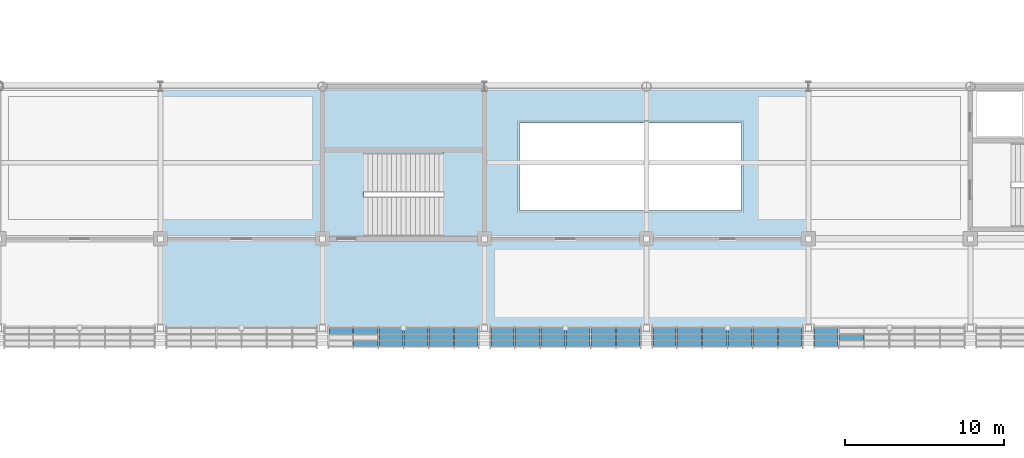
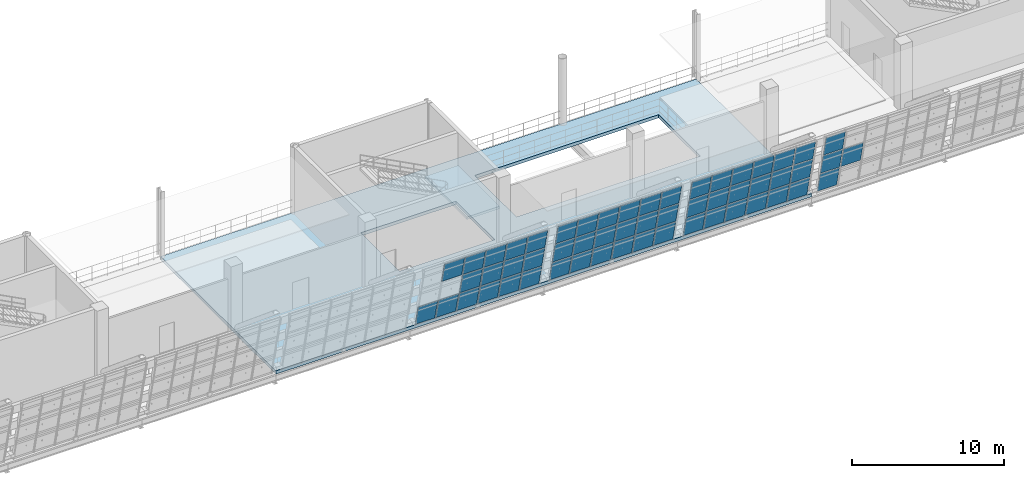
# One storey, part 106 of 175: 55 plates, 2 slabs, 5 elements without a shape of their own.
"""IFC4 building model written with IfcOpenShell, lengths in metres."""

from ifc_helpers import new_model, si_unit, direction, frame, origin, place, context, subcontext, project, spatial, polyline, outline, extrude, material, layer, layer_set, type_object, element, aggregate, save


model = new_model("IFC4")

# Units and contexts
model_context = context("Model", 3, precision=1e-05, world=origin(), true_north=direction((0.0, 1.0)))
body_context = subcontext(model_context, "Body", "Model", "MODEL_VIEW")
ifc_project = project(units=[si_unit("LENGTHUNIT", "METRE"), si_unit("AREAUNIT", "SQUARE_METRE"), si_unit("VOLUMEUNIT", "CUBIC_METRE"), si_unit("PLANEANGLEUNIT", "RADIAN"), si_unit("MASSUNIT", "GRAM", prefix="KILO")], contexts=[model_context])

# Site, building, storey
site_placement = place(None, origin())
site = spatial("IfcSite", under=ifc_project, at=site_placement, CompositionType="ELEMENT")
building_placement = place(site_placement, origin())
building = spatial("IfcBuilding", under=site, at=building_placement, Name="Brelvane Convention Centre", CompositionType="ELEMENT")
storey_placement = place(building_placement, frame((0.0, 0.0, 5.39990234375)))
storey = spatial("IfcBuildingStorey", under=building, at=storey_placement, Name="L01", CompositionType="ELEMENT", Elevation=5.39990234375)

# Curtain wall, plates
ifc_material_1 = material(Name="Anodised Aluminium Alloy 6063-T6", Category="aluminium")
curtain_wall_type = type_object("IfcCurtainWallType", Name="Curtain Wall CW-HULL-S", PredefinedType="USERDEFINED", material=ifc_material_1)
curtain_wall_1_placement = place(storey_placement, origin())
curtain_wall_1 = element("IfcCurtainWall", 1, at=curtain_wall_1_placement, inside=storey, type_object=curtain_wall_type, Name="Curtain Wall CW-HULL-S L01-HULL-S-L01-09", ObjectType="UNITISED", PredefinedType="USERDEFINED")
ifc_material_2 = material(Name="Double Glazed Low-E Laminated Unit")
ifc_layer_1 = layer(ifc_material_2, 0.031982421875)
ifc_layer_set_1 = layer_set([ifc_layer_1], Name="Double Glazed Low-E Laminated Unit")
plate_type_1 = type_object("IfcPlateType", Name="Curtain Panel CW-PG1", PredefinedType="CURTAIN_PANEL", material=ifc_layer_set_1)
plate_1_placement = place(storey_placement, frame((83.55322265625, 12.785400390625, 3.473388671875), z_axis=(0.0, 0.973577021422, 0.228358891569), x_axis=(1.0, 0.0, 0.0)))
plate_1 = element("IfcPlate", 2, at=plate_1_placement, type_object=plate_type_1, Name="CW-HULL-S panel 2.3", PredefinedType="CURTAIN_PANEL", context=body_context, shape_type="SweptSolid", body=[
    extrude(outline(polyline([(0.0, 0.0), (1.513427734375, 0.0), (1.513427734375, -1.6400137352949753), (0.0, -1.6400137352949753), (0.0, 0.0)])), origin(), (0.0, 0.0, -1.0), 0.031982421875),
])
plate_2_placement = place(storey_placement, frame((85.146728515625, 13.18798828125, 1.7568359375), z_axis=(0.0, 0.973584535906, 0.228326852222), x_axis=(1.0, 0.0, 0.0)))
plate_2 = element("IfcPlate", 3, at=plate_2_placement, type_object=plate_type_1, Name="CW-HULL-S panel 3.2", PredefinedType="CURTAIN_PANEL", context=body_context, shape_type="SweptSolid", body=[
    extrude(outline(polyline([(0.0, 0.0), (1.51318359375, 0.0), (1.51318359375, -1.680875721647406), (0.0, -1.680875721647406), (0.0, 0.0)])), origin(), (0.0, 0.0, -1.0), 0.031982421875),
])
plate_3_placement = place(storey_placement, frame((85.146728515625, 12.785400390625, 3.473388671875), z_axis=(0.0, 0.973577021422, 0.228358891569), x_axis=(1.0, 0.0, 0.0)))
plate_3 = element("IfcPlate", 4, at=plate_3_placement, type_object=plate_type_1, Name="CW-HULL-S panel 3.3", PredefinedType="CURTAIN_PANEL", context=body_context, shape_type="SweptSolid", body=[
    extrude(outline(polyline([(0.0, 0.0), (1.51318359375, 0.0), (1.51318359375, -1.640013735294975), (0.0, -1.640013735294975), (0.0, 0.0)])), origin(), (0.0, 0.0, -1.0), 0.031982421875),
])
plate_4_placement = place(storey_placement, frame((86.739990234375, 13.18798828125, 1.7568359375), z_axis=(0.0, 0.973584535906, 0.228326852222), x_axis=(1.0, 0.0, 0.0)))
plate_4 = element("IfcPlate", 5, at=plate_4_placement, type_object=plate_type_1, Name="CW-HULL-S panel 4.2", PredefinedType="CURTAIN_PANEL", context=body_context, shape_type="SweptSolid", body=[
    extrude(outline(polyline([(0.0, 0.0), (1.513427734375, 0.0), (1.513427734375, -1.680875721647406), (0.0, -1.680875721647406), (0.0, 0.0)])), origin(), (0.0, 0.0, -1.0), 0.031982421875),
])
plate_5_placement = place(storey_placement, frame((86.739990234375, 12.785400390625, 3.473388671875), z_axis=(0.0, 0.973577021422, 0.228358891569), x_axis=(1.0, 0.0, 0.0)))
plate_5 = element("IfcPlate", 6, at=plate_5_placement, type_object=plate_type_1, Name="CW-HULL-S panel 4.3", PredefinedType="CURTAIN_PANEL", context=body_context, shape_type="SweptSolid", body=[
    extrude(outline(polyline([(0.0, 0.0), (1.513427734375, 0.0), (1.513427734375, -1.6400137352949753), (0.0, -1.6400137352949753), (0.0, 0.0)])), origin(), (0.0, 0.0, -1.0), 0.031982421875),
])
plate_6_placement = place(storey_placement, frame((88.333251953125, 13.18798828125, 1.7568359375), z_axis=(0.0, 0.973584535906, 0.228326852222), x_axis=(1.0, 0.0, 0.0)))
plate_6 = element("IfcPlate", 7, at=plate_6_placement, type_object=plate_type_1, Name="CW-HULL-S panel 5.2", PredefinedType="CURTAIN_PANEL", context=body_context, shape_type="SweptSolid", body=[
    extrude(outline(polyline([(0.0, 0.0), (1.513427734375, 0.0), (1.513427734375, -1.680875721647406), (0.0, -1.680875721647406), (0.0, 0.0)])), origin(), (0.0, 0.0, -1.0), 0.031982421875),
])
plate_7_placement = place(storey_placement, frame((88.333251953125, 12.785400390625, 3.473388671875), z_axis=(0.0, 0.973577021422, 0.228358891569), x_axis=(1.0, 0.0, 0.0)))
plate_7 = element("IfcPlate", 8, at=plate_7_placement, type_object=plate_type_1, Name="CW-HULL-S panel 5.3", PredefinedType="CURTAIN_PANEL", context=body_context, shape_type="SweptSolid", body=[
    extrude(outline(polyline([(0.0, 0.0), (1.513427734375, 0.0), (1.513427734375, -1.6400137352949753), (0.0, -1.6400137352949753), (0.0, 0.0)])), origin(), (0.0, 0.0, -1.0), 0.031982421875),
])
plate_8_placement = place(storey_placement, frame((89.9267578125, 13.18798828125, 1.7568359375), z_axis=(0.0, 0.973584535906, 0.228326852222), x_axis=(1.0, 0.0, 0.0)))
plate_8 = element("IfcPlate", 9, at=plate_8_placement, type_object=plate_type_1, Name="CW-HULL-S panel 6.2", PredefinedType="CURTAIN_PANEL", context=body_context, shape_type="SweptSolid", body=[
    extrude(outline(polyline([(0.0, 0.0), (1.47314453125, 0.0), (1.47314453125, -1.680875721647406), (0.0, -1.680875721647406), (0.0, 0.0)])), origin(), (0.0, 0.0, -1.0), 0.031982421875),
])
plate_9_placement = place(storey_placement, frame((89.9267578125, 12.785400390625, 3.473388671875), z_axis=(0.0, 0.973577021422, 0.228358891569), x_axis=(1.0, 0.0, 0.0)))
plate_9 = element("IfcPlate", 10, at=plate_9_placement, type_object=plate_type_1, Name="CW-HULL-S panel 6.3", PredefinedType="CURTAIN_PANEL", context=body_context, shape_type="SweptSolid", body=[
    extrude(outline(polyline([(0.0, 0.0), (1.47314453125, 0.0), (1.47314453125, -1.6400137352949753), (0.0, -1.6400137352949753), (0.0, 0.0)])), origin(), (0.0, 0.0, -1.0), 0.031982421875),
])

curtain_wall_2_placement = place(storey_placement, origin())
curtain_wall_2 = element("IfcCurtainWall", 11, at=curtain_wall_2_placement, inside=storey, type_object=curtain_wall_type, Name="Curtain Wall CW-HULL-S L01-HULL-S-L01-10", ObjectType="UNITISED", PredefinedType="USERDEFINED")
plate_10_placement = place(storey_placement, frame((92.199951171875, 13.18798828125, 1.7568359375), z_axis=(0.0, 0.973584535906, 0.228326852222), x_axis=(1.0, 0.0, 0.0)))
plate_10 = element("IfcPlate", 12, at=plate_10_placement, type_object=plate_type_1, Name="CW-HULL-S panel 1.2", PredefinedType="CURTAIN_PANEL", context=body_context, shape_type="SweptSolid", body=[
    extrude(outline(polyline([(0.0, 0.0), (1.473388671875, 0.0), (1.473388671875, -1.680875721647406), (0.0, -1.680875721647406), (0.0, 0.0)])), origin(), (0.0, 0.0, -1.0), 0.031982421875),
])
plate_11_placement = place(storey_placement, frame((92.199951171875, 12.785400390625, 3.473388671875), z_axis=(0.0, 0.973577021422, 0.228358891569), x_axis=(1.0, 0.0, 0.0)))
plate_11 = element("IfcPlate", 13, at=plate_11_placement, type_object=plate_type_1, Name="CW-HULL-S panel 1.3", PredefinedType="CURTAIN_PANEL", context=body_context, shape_type="SweptSolid", body=[
    extrude(outline(polyline([(0.0, 0.0), (1.473388671875, 0.0), (1.473388671875, -1.640013735294975), (0.0, -1.640013735294975), (0.0, 0.0)])), origin(), (0.0, 0.0, -1.0), 0.031982421875),
])
plate_12_placement = place(storey_placement, frame((93.75341796875, 13.18798828125, 1.7568359375), z_axis=(0.0, 0.973584535906, 0.228326852222), x_axis=(1.0, 0.0, 0.0)))
plate_12 = element("IfcPlate", 14, at=plate_12_placement, type_object=plate_type_1, Name="CW-HULL-S panel 2.2", PredefinedType="CURTAIN_PANEL", context=body_context, shape_type="SweptSolid", body=[
    extrude(outline(polyline([(0.0, 0.0), (1.51318359375, 0.0), (1.51318359375, -1.680875721647406), (0.0, -1.680875721647406), (0.0, 0.0)])), origin(), (0.0, 0.0, -1.0), 0.031982421875),
])
plate_13_placement = place(storey_placement, frame((93.75341796875, 12.785400390625, 3.473388671875), z_axis=(0.0, 0.973577021422, 0.228358891569), x_axis=(1.0, 0.0, 0.0)))
plate_13 = element("IfcPlate", 15, at=plate_13_placement, type_object=plate_type_1, Name="CW-HULL-S panel 2.3", PredefinedType="CURTAIN_PANEL", context=body_context, shape_type="SweptSolid", body=[
    extrude(outline(polyline([(0.0, 0.0), (1.51318359375, 0.0), (1.51318359375, -1.640013735294975), (0.0, -1.640013735294975), (0.0, 0.0)])), origin(), (0.0, 0.0, -1.0), 0.031982421875),
])
plate_14_placement = place(storey_placement, frame((95.3466796875, 13.18798828125, 1.7568359375), z_axis=(0.0, 0.973584535906, 0.228326852222), x_axis=(1.0, 0.0, 0.0)))
plate_14 = element("IfcPlate", 16, at=plate_14_placement, type_object=plate_type_1, Name="CW-HULL-S panel 3.2", PredefinedType="CURTAIN_PANEL", context=body_context, shape_type="SweptSolid", body=[
    extrude(outline(polyline([(0.0, 0.0), (1.513427734375, 0.0), (1.513427734375, -1.680875721647406), (0.0, -1.680875721647406), (0.0, 0.0)])), origin(), (0.0, 0.0, -1.0), 0.031982421875),
])
plate_15_placement = place(storey_placement, frame((95.3466796875, 12.785400390625, 3.473388671875), z_axis=(0.0, 0.973577021422, 0.228358891569), x_axis=(1.0, 0.0, 0.0)))
plate_15 = element("IfcPlate", 17, at=plate_15_placement, type_object=plate_type_1, Name="CW-HULL-S panel 3.3", PredefinedType="CURTAIN_PANEL", context=body_context, shape_type="SweptSolid", body=[
    extrude(outline(polyline([(0.0, 0.0), (1.513427734375, 0.0), (1.513427734375, -1.6400137352949753), (0.0, -1.6400137352949753), (0.0, 0.0)])), origin(), (0.0, 0.0, -1.0), 0.031982421875),
])
plate_16_placement = place(storey_placement, frame((96.93994140625, 13.18798828125, 1.7568359375), z_axis=(0.0, 0.973584535906, 0.228326852222), x_axis=(1.0, 0.0, 0.0)))
plate_16 = element("IfcPlate", 18, at=plate_16_placement, type_object=plate_type_1, Name="CW-HULL-S panel 4.2", PredefinedType="CURTAIN_PANEL", context=body_context, shape_type="SweptSolid", body=[
    extrude(outline(polyline([(0.0, 0.0), (1.513427734375, 0.0), (1.513427734375, -1.680875721647406), (0.0, -1.680875721647406), (0.0, 0.0)])), origin(), (0.0, 0.0, -1.0), 0.031982421875),
])
plate_17_placement = place(storey_placement, frame((96.93994140625, 12.785400390625, 3.473388671875), z_axis=(0.0, 0.973577021422, 0.228358891569), x_axis=(1.0, 0.0, 0.0)))
plate_17 = element("IfcPlate", 19, at=plate_17_placement, type_object=plate_type_1, Name="CW-HULL-S panel 4.3", PredefinedType="CURTAIN_PANEL", context=body_context, shape_type="SweptSolid", body=[
    extrude(outline(polyline([(0.0, 0.0), (1.513427734375, 0.0), (1.513427734375, -1.6400137352949753), (0.0, -1.6400137352949753), (0.0, 0.0)])), origin(), (0.0, 0.0, -1.0), 0.031982421875),
])
plate_18_placement = place(storey_placement, frame((98.533447265625, 13.18798828125, 1.7568359375), z_axis=(0.0, 0.973584535906, 0.228326852222), x_axis=(1.0, 0.0, 0.0)))
plate_18 = element("IfcPlate", 20, at=plate_18_placement, type_object=plate_type_1, Name="CW-HULL-S panel 5.2", PredefinedType="CURTAIN_PANEL", context=body_context, shape_type="SweptSolid", body=[
    extrude(outline(polyline([(0.0, 0.0), (1.51318359375, 0.0), (1.51318359375, -1.680875721647406), (0.0, -1.680875721647406), (0.0, 0.0)])), origin(), (0.0, 0.0, -1.0), 0.031982421875),
])
plate_19_placement = place(storey_placement, frame((98.533447265625, 12.785400390625, 3.473388671875), z_axis=(0.0, 0.973577021422, 0.228358891569), x_axis=(1.0, 0.0, 0.0)))
plate_19 = element("IfcPlate", 21, at=plate_19_placement, type_object=plate_type_1, Name="CW-HULL-S panel 5.3", PredefinedType="CURTAIN_PANEL", context=body_context, shape_type="SweptSolid", body=[
    extrude(outline(polyline([(0.0, 0.0), (1.51318359375, 0.0), (1.51318359375, -1.640013735294975), (0.0, -1.640013735294975), (0.0, 0.0)])), origin(), (0.0, 0.0, -1.0), 0.031982421875),
])
plate_20_placement = place(storey_placement, frame((100.126708984375, 13.18798828125, 1.7568359375), z_axis=(0.0, 0.973584535906, 0.228326852222), x_axis=(1.0, 0.0, 0.0)))
plate_20 = element("IfcPlate", 22, at=plate_20_placement, type_object=plate_type_1, Name="CW-HULL-S panel 6.2", PredefinedType="CURTAIN_PANEL", context=body_context, shape_type="SweptSolid", body=[
    extrude(outline(polyline([(0.0, 0.0), (1.473388671875, 0.0), (1.473388671875, -1.680875721647406), (0.0, -1.680875721647406), (0.0, 0.0)])), origin(), (0.0, 0.0, -1.0), 0.031982421875),
])
plate_21_placement = place(storey_placement, frame((100.126708984375, 12.785400390625, 3.473388671875), z_axis=(0.0, 0.973577021422, 0.228358891569), x_axis=(1.0, 0.0, 0.0)))
plate_21 = element("IfcPlate", 23, at=plate_21_placement, type_object=plate_type_1, Name="CW-HULL-S panel 6.3", PredefinedType="CURTAIN_PANEL", context=body_context, shape_type="SweptSolid", body=[
    extrude(outline(polyline([(0.0, 0.0), (1.473388671875, 0.0), (1.473388671875, -1.640013735294975), (0.0, -1.640013735294975), (0.0, 0.0)])), origin(), (0.0, 0.0, -1.0), 0.031982421875),
])

curtain_wall_3_placement = place(storey_placement, origin())
curtain_wall_3 = element("IfcCurtainWall", 24, at=curtain_wall_3_placement, inside=storey, type_object=curtain_wall_type, Name="Curtain Wall CW-HULL-S L01-HULL-S-L01-11", ObjectType="UNITISED", PredefinedType="USERDEFINED")
plate_22_placement = place(storey_placement, frame((102.39990234375, 13.18798828125, 1.7568359375), z_axis=(0.0, 0.973584535906, 0.228326852222), x_axis=(1.0, 0.0, 0.0)))
plate_22 = element("IfcPlate", 25, at=plate_22_placement, type_object=plate_type_1, Name="CW-HULL-S panel 1.2", PredefinedType="CURTAIN_PANEL", context=body_context, shape_type="SweptSolid", body=[
    extrude(outline(polyline([(0.0, 0.0), (1.473388671875, 0.0), (1.473388671875, -1.680875721647406), (0.0, -1.680875721647406), (0.0, 0.0)])), origin(), (0.0, 0.0, -1.0), 0.031982421875),
])
plate_23_placement = place(storey_placement, frame((102.39990234375, 12.785400390625, 3.473388671875), z_axis=(0.0, 0.973577021422, 0.228358891569), x_axis=(1.0, 0.0, 0.0)))
plate_23 = element("IfcPlate", 26, at=plate_23_placement, type_object=plate_type_1, Name="CW-HULL-S panel 1.3", PredefinedType="CURTAIN_PANEL", context=body_context, shape_type="SweptSolid", body=[
    extrude(outline(polyline([(0.0, 0.0), (1.473388671875, 0.0), (1.473388671875, -1.640013735294975), (0.0, -1.640013735294975), (0.0, 0.0)])), origin(), (0.0, 0.0, -1.0), 0.031982421875),
])
plate_24_placement = place(storey_placement, frame((103.953369140625, 13.18798828125, 1.7568359375), z_axis=(0.0, 0.973584535906, 0.228326852222), x_axis=(1.0, 0.0, 0.0)))
plate_24 = element("IfcPlate", 27, at=plate_24_placement, type_object=plate_type_1, Name="CW-HULL-S panel 2.2", PredefinedType="CURTAIN_PANEL", context=body_context, shape_type="SweptSolid", body=[
    extrude(outline(polyline([(0.0, 0.0), (1.51318359375, 0.0), (1.51318359375, -1.680875721647406), (0.0, -1.680875721647406), (0.0, 0.0)])), origin(), (0.0, 0.0, -1.0), 0.031982421875),
])
plate_25_placement = place(storey_placement, frame((103.953369140625, 12.785400390625, 3.473388671875), z_axis=(0.0, 0.973577021422, 0.228358891569), x_axis=(1.0, 0.0, 0.0)))
plate_25 = element("IfcPlate", 28, at=plate_25_placement, type_object=plate_type_1, Name="CW-HULL-S panel 2.3", PredefinedType="CURTAIN_PANEL", context=body_context, shape_type="SweptSolid", body=[
    extrude(outline(polyline([(0.0, 0.0), (1.51318359375, 0.0), (1.51318359375, -1.640013735294975), (0.0, -1.640013735294975), (0.0, 0.0)])), origin(), (0.0, 0.0, -1.0), 0.031982421875),
])
plate_26_placement = place(storey_placement, frame((105.546630859375, 13.18798828125, 1.7568359375), z_axis=(0.0, 0.973584535906, 0.228326852222), x_axis=(1.0, 0.0, 0.0)))
plate_26 = element("IfcPlate", 29, at=plate_26_placement, type_object=plate_type_1, Name="CW-HULL-S panel 3.2", PredefinedType="CURTAIN_PANEL", context=body_context, shape_type="SweptSolid", body=[
    extrude(outline(polyline([(0.0, 0.0), (1.513427734375, 0.0), (1.513427734375, -1.680875721647406), (0.0, -1.680875721647406), (0.0, 0.0)])), origin(), (0.0, 0.0, -1.0), 0.031982421875),
])
plate_27_placement = place(storey_placement, frame((105.546630859375, 12.785400390625, 3.473388671875), z_axis=(0.0, 0.973577021422, 0.228358891569), x_axis=(1.0, 0.0, 0.0)))
plate_27 = element("IfcPlate", 30, at=plate_27_placement, type_object=plate_type_1, Name="CW-HULL-S panel 3.3", PredefinedType="CURTAIN_PANEL", context=body_context, shape_type="SweptSolid", body=[
    extrude(outline(polyline([(0.0, 0.0), (1.513427734375, 0.0), (1.513427734375, -1.6400137352949753), (0.0, -1.6400137352949753), (0.0, 0.0)])), origin(), (0.0, 0.0, -1.0), 0.031982421875),
])
plate_28_placement = place(storey_placement, frame((107.139892578125, 13.18798828125, 1.7568359375), z_axis=(0.0, 0.973584535906, 0.228326852222), x_axis=(1.0, 0.0, 0.0)))
plate_28 = element("IfcPlate", 31, at=plate_28_placement, type_object=plate_type_1, Name="CW-HULL-S panel 4.2", PredefinedType="CURTAIN_PANEL", context=body_context, shape_type="SweptSolid", body=[
    extrude(outline(polyline([(0.0, 0.0), (1.513427734375, 0.0), (1.513427734375, -1.680875721647406), (0.0, -1.680875721647406), (0.0, 0.0)])), origin(), (0.0, 0.0, -1.0), 0.031982421875),
])
plate_29_placement = place(storey_placement, frame((107.139892578125, 12.785400390625, 3.473388671875), z_axis=(0.0, 0.973577021422, 0.228358891569), x_axis=(1.0, 0.0, 0.0)))
plate_29 = element("IfcPlate", 32, at=plate_29_placement, type_object=plate_type_1, Name="CW-HULL-S panel 4.3", PredefinedType="CURTAIN_PANEL", context=body_context, shape_type="SweptSolid", body=[
    extrude(outline(polyline([(0.0, 0.0), (1.513427734375, 0.0), (1.513427734375, -1.6400137352949753), (0.0, -1.6400137352949753), (0.0, 0.0)])), origin(), (0.0, 0.0, -1.0), 0.031982421875),
])
plate_30_placement = place(storey_placement, frame((108.7333984375, 13.18798828125, 1.7568359375), z_axis=(0.0, 0.973584535906, 0.228326852222), x_axis=(1.0, 0.0, 0.0)))
plate_30 = element("IfcPlate", 33, at=plate_30_placement, type_object=plate_type_1, Name="CW-HULL-S panel 5.2", PredefinedType="CURTAIN_PANEL", context=body_context, shape_type="SweptSolid", body=[
    extrude(outline(polyline([(0.0, 0.0), (1.51318359375, 0.0), (1.51318359375, -1.680875721647406), (0.0, -1.680875721647406), (0.0, 0.0)])), origin(), (0.0, 0.0, -1.0), 0.031982421875),
])
plate_31_placement = place(storey_placement, frame((108.7333984375, 12.785400390625, 3.473388671875), z_axis=(0.0, 0.973577021422, 0.228358891569), x_axis=(1.0, 0.0, 0.0)))
plate_31 = element("IfcPlate", 34, at=plate_31_placement, type_object=plate_type_1, Name="CW-HULL-S panel 5.3", PredefinedType="CURTAIN_PANEL", context=body_context, shape_type="SweptSolid", body=[
    extrude(outline(polyline([(0.0, 0.0), (1.51318359375, 0.0), (1.51318359375, -1.640013735294975), (0.0, -1.640013735294975), (0.0, 0.0)])), origin(), (0.0, 0.0, -1.0), 0.031982421875),
])
plate_32_placement = place(storey_placement, frame((110.32666015625, 13.18798828125, 1.7568359375), z_axis=(0.0, 0.973584535906, 0.228326852222), x_axis=(1.0, 0.0, 0.0)))
plate_32 = element("IfcPlate", 35, at=plate_32_placement, type_object=plate_type_1, Name="CW-HULL-S panel 6.2", PredefinedType="CURTAIN_PANEL", context=body_context, shape_type="SweptSolid", body=[
    extrude(outline(polyline([(0.0, 0.0), (1.473388671875, 0.0), (1.473388671875, -1.680875721647406), (0.0, -1.680875721647406), (0.0, 0.0)])), origin(), (0.0, 0.0, -1.0), 0.031982421875),
])
plate_33_placement = place(storey_placement, frame((110.32666015625, 12.785400390625, 3.473388671875), z_axis=(0.0, 0.973577021422, 0.228358891569), x_axis=(1.0, 0.0, 0.0)))
plate_33 = element("IfcPlate", 36, at=plate_33_placement, type_object=plate_type_1, Name="CW-HULL-S panel 6.3", PredefinedType="CURTAIN_PANEL", context=body_context, shape_type="SweptSolid", body=[
    extrude(outline(polyline([(0.0, 0.0), (1.473388671875, 0.0), (1.473388671875, -1.640013735294975), (0.0, -1.640013735294975), (0.0, 0.0)])), origin(), (0.0, 0.0, -1.0), 0.031982421875),
])

curtain_wall_4_placement = place(storey_placement, origin())
curtain_wall_4 = element("IfcCurtainWall", 37, at=curtain_wall_4_placement, inside=storey, type_object=curtain_wall_type, Name="Curtain Wall CW-HULL-S L01-HULL-S-L01-12", ObjectType="UNITISED", PredefinedType="USERDEFINED")
plate_34_placement = place(storey_placement, frame((112.60009765625, 13.18798828125, 1.7568359375), z_axis=(0.0, 0.973584535906, 0.228326852222), x_axis=(1.0, 0.0, 0.0)))
plate_34 = element("IfcPlate", 38, at=plate_34_placement, type_object=plate_type_1, Name="CW-HULL-S panel 1.2", PredefinedType="CURTAIN_PANEL", context=body_context, shape_type="SweptSolid", body=[
    extrude(outline(polyline([(0.0, 0.0), (1.47314453125, 0.0), (1.47314453125, -1.680875721647406), (0.0, -1.680875721647406), (0.0, 0.0)])), origin(), (0.0, 0.0, -1.0), 0.031982421875),
])
plate_35_placement = place(storey_placement, frame((112.60009765625, 12.785400390625, 3.473388671875), z_axis=(0.0, 0.973577021422, 0.228358891569), x_axis=(1.0, 0.0, 0.0)))
plate_35 = element("IfcPlate", 39, at=plate_35_placement, type_object=plate_type_1, Name="CW-HULL-S panel 1.3", PredefinedType="CURTAIN_PANEL", context=body_context, shape_type="SweptSolid", body=[
    extrude(outline(polyline([(0.0, 0.0), (1.47314453125, 0.0), (1.47314453125, -1.6400137352949753), (0.0, -1.6400137352949753), (0.0, 0.0)])), origin(), (0.0, 0.0, -1.0), 0.031982421875),
])
plate_36_placement = place(storey_placement, frame((114.1533203125, 13.18798828125, 1.7568359375), z_axis=(0.0, 0.973584535906, 0.228326852222), x_axis=(1.0, 0.0, 0.0)))
plate_36 = element("IfcPlate", 40, at=plate_36_placement, type_object=plate_type_1, Name="CW-HULL-S panel 2.2", PredefinedType="CURTAIN_PANEL", context=body_context, shape_type="SweptSolid", body=[
    extrude(outline(polyline([(0.0, 0.0), (1.513427734375, 0.0), (1.513427734375, -1.680875721647406), (0.0, -1.680875721647406), (0.0, 0.0)])), origin(), (0.0, 0.0, -1.0), 0.031982421875),
])

# Plate
ifc_material_3 = material(Name="Patinated Copper-Bronze Alloy C22000")
ifc_layer_2 = layer(ifc_material_3, 0.048095703125)
ifc_layer_set_2 = layer_set([ifc_layer_2], Name="Patinated Copper-Bronze Alloy C22000")
plate_type_2 = type_object("IfcPlateType", Name="Curtain Panel CW-PS1", PredefinedType="CURTAIN_PANEL", material=ifc_layer_set_2)
plate_37_placement = place(storey_placement, frame((82.0, 13.581298828125, 0.080078125), z_axis=(0.0, 0.973577021422, 0.228358891569), x_axis=(1.0, 0.0, 0.0)))
plate_37 = element("IfcPlate", 41, at=plate_37_placement, type_object=plate_type_2, Name="CW-HULL-S panel 1.1", PredefinedType="CURTAIN_PANEL", context=body_context, shape_type="SweptSolid", body=[
    extrude(outline(polyline([(0.0, 0.0), (1.473388671875, 0.0), (1.473388671875, -1.640013735294975), (0.0, -1.640013735294975), (0.0, 0.0)])), origin(), (0.0, 0.0, -1.0), 0.031982421875),
])

plate_38_placement = place(storey_placement, frame((83.55322265625, 13.581298828125, 0.080078125), z_axis=(0.0, 0.973577021422, 0.228358891569), x_axis=(1.0, 0.0, 0.0)))
plate_38 = element("IfcPlate", 42, at=plate_38_placement, type_object=plate_type_2, Name="CW-HULL-S panel 2.1", PredefinedType="CURTAIN_PANEL", context=body_context, shape_type="SweptSolid", body=[
    extrude(outline(polyline([(0.0, 0.0), (1.513427734375, 0.0), (1.513427734375, -1.6400137352949753), (0.0, -1.6400137352949753), (0.0, 0.0)])), origin(), (0.0, 0.0, -1.0), 0.031982421875),
])

plate_39_placement = place(storey_placement, frame((85.146728515625, 13.581298828125, 0.080078125), z_axis=(0.0, 0.973577021422, 0.228358891569), x_axis=(1.0, 0.0, 0.0)))
plate_39 = element("IfcPlate", 43, at=plate_39_placement, type_object=plate_type_2, Name="CW-HULL-S panel 3.1", PredefinedType="CURTAIN_PANEL", context=body_context, shape_type="SweptSolid", body=[
    extrude(outline(polyline([(0.0, 0.0), (1.51318359375, 0.0), (1.51318359375, -1.640013735294975), (0.0, -1.640013735294975), (0.0, 0.0)])), origin(), (0.0, 0.0, -1.0), 0.031982421875),
])

plate_40_placement = place(storey_placement, frame((86.739990234375, 13.581298828125, 0.080078125), z_axis=(0.0, 0.973577021422, 0.228358891569), x_axis=(1.0, 0.0, 0.0)))
plate_40 = element("IfcPlate", 44, at=plate_40_placement, type_object=plate_type_2, Name="CW-HULL-S panel 4.1", PredefinedType="CURTAIN_PANEL", context=body_context, shape_type="SweptSolid", body=[
    extrude(outline(polyline([(0.0, 0.0), (1.513427734375, 0.0), (1.513427734375, -1.6400137352949753), (0.0, -1.6400137352949753), (0.0, 0.0)])), origin(), (0.0, 0.0, -1.0), 0.031982421875),
])

plate_41_placement = place(storey_placement, frame((88.333251953125, 13.581298828125, 0.080078125), z_axis=(0.0, 0.973577021422, 0.228358891569), x_axis=(1.0, 0.0, 0.0)))
plate_41 = element("IfcPlate", 45, at=plate_41_placement, type_object=plate_type_2, Name="CW-HULL-S panel 5.1", PredefinedType="CURTAIN_PANEL", context=body_context, shape_type="SweptSolid", body=[
    extrude(outline(polyline([(0.0, 0.0), (1.513427734375, 0.0), (1.513427734375, -1.6400137352949753), (0.0, -1.6400137352949753), (0.0, 0.0)])), origin(), (0.0, 0.0, -1.0), 0.031982421875),
])

plate_42_placement = place(storey_placement, frame((89.9267578125, 13.581298828125, 0.080078125), z_axis=(0.0, 0.973577021422, 0.228358891569), x_axis=(1.0, 0.0, 0.0)))
plate_42 = element("IfcPlate", 46, at=plate_42_placement, type_object=plate_type_2, Name="CW-HULL-S panel 6.1", PredefinedType="CURTAIN_PANEL", context=body_context, shape_type="SweptSolid", body=[
    extrude(outline(polyline([(0.0, 0.0), (1.47314453125, 0.0), (1.47314453125, -1.6400137352949753), (0.0, -1.6400137352949753), (0.0, 0.0)])), origin(), (0.0, 0.0, -1.0), 0.031982421875),
])

aggregate(curtain_wall_1, [plate_37, plate_38, plate_1, plate_39, plate_2, plate_3, plate_40, plate_4, plate_5, plate_41, plate_6, plate_7, plate_42, plate_8, plate_9])

plate_43_placement = place(storey_placement, frame((92.199951171875, 13.581298828125, 0.080078125), z_axis=(0.0, 0.973577021422, 0.228358891569), x_axis=(1.0, 0.0, 0.0)))
plate_43 = element("IfcPlate", 47, at=plate_43_placement, type_object=plate_type_2, Name="CW-HULL-S panel 1.1", PredefinedType="CURTAIN_PANEL", context=body_context, shape_type="SweptSolid", body=[
    extrude(outline(polyline([(0.0, 0.0), (1.473388671875, 0.0), (1.473388671875, -1.640013735294975), (0.0, -1.640013735294975), (0.0, 0.0)])), origin(), (0.0, 0.0, -1.0), 0.031982421875),
])

plate_44_placement = place(storey_placement, frame((93.75341796875, 13.581298828125, 0.080078125), z_axis=(0.0, 0.973577021422, 0.228358891569), x_axis=(1.0, 0.0, 0.0)))
plate_44 = element("IfcPlate", 48, at=plate_44_placement, type_object=plate_type_2, Name="CW-HULL-S panel 2.1", PredefinedType="CURTAIN_PANEL", context=body_context, shape_type="SweptSolid", body=[
    extrude(outline(polyline([(0.0, 0.0), (1.51318359375, 0.0), (1.51318359375, -1.640013735294975), (0.0, -1.640013735294975), (0.0, 0.0)])), origin(), (0.0, 0.0, -1.0), 0.031982421875),
])

plate_45_placement = place(storey_placement, frame((95.3466796875, 13.581298828125, 0.080078125), z_axis=(0.0, 0.973577021422, 0.228358891569), x_axis=(1.0, 0.0, 0.0)))
plate_45 = element("IfcPlate", 49, at=plate_45_placement, type_object=plate_type_2, Name="CW-HULL-S panel 3.1", PredefinedType="CURTAIN_PANEL", context=body_context, shape_type="SweptSolid", body=[
    extrude(outline(polyline([(0.0, 0.0), (1.513427734375, 0.0), (1.513427734375, -1.6400137352949753), (0.0, -1.6400137352949753), (0.0, 0.0)])), origin(), (0.0, 0.0, -1.0), 0.031982421875),
])

plate_46_placement = place(storey_placement, frame((96.93994140625, 13.581298828125, 0.080078125), z_axis=(0.0, 0.973577021422, 0.228358891569), x_axis=(1.0, 0.0, 0.0)))
plate_46 = element("IfcPlate", 50, at=plate_46_placement, type_object=plate_type_2, Name="CW-HULL-S panel 4.1", PredefinedType="CURTAIN_PANEL", context=body_context, shape_type="SweptSolid", body=[
    extrude(outline(polyline([(0.0, 0.0), (1.513427734375, 0.0), (1.513427734375, -1.6400137352949753), (0.0, -1.6400137352949753), (0.0, 0.0)])), origin(), (0.0, 0.0, -1.0), 0.031982421875),
])

plate_47_placement = place(storey_placement, frame((98.533447265625, 13.581298828125, 0.080078125), z_axis=(0.0, 0.973577021422, 0.228358891569), x_axis=(1.0, 0.0, 0.0)))
plate_47 = element("IfcPlate", 51, at=plate_47_placement, type_object=plate_type_2, Name="CW-HULL-S panel 5.1", PredefinedType="CURTAIN_PANEL", context=body_context, shape_type="SweptSolid", body=[
    extrude(outline(polyline([(0.0, 0.0), (1.51318359375, 0.0), (1.51318359375, -1.640013735294975), (0.0, -1.640013735294975), (0.0, 0.0)])), origin(), (0.0, 0.0, -1.0), 0.031982421875),
])

plate_48_placement = place(storey_placement, frame((100.126708984375, 13.581298828125, 0.080078125), z_axis=(0.0, 0.973577021422, 0.228358891569), x_axis=(1.0, 0.0, 0.0)))
plate_48 = element("IfcPlate", 52, at=plate_48_placement, type_object=plate_type_2, Name="CW-HULL-S panel 6.1", PredefinedType="CURTAIN_PANEL", context=body_context, shape_type="SweptSolid", body=[
    extrude(outline(polyline([(0.0, 0.0), (1.473388671875, 0.0), (1.473388671875, -1.640013735294975), (0.0, -1.640013735294975), (0.0, 0.0)])), origin(), (0.0, 0.0, -1.0), 0.031982421875),
])

aggregate(curtain_wall_2, [plate_43, plate_10, plate_11, plate_44, plate_12, plate_13, plate_45, plate_14, plate_15, plate_46, plate_16, plate_17, plate_47, plate_18, plate_19, plate_48, plate_20, plate_21])

plate_49_placement = place(storey_placement, frame((102.39990234375, 13.581298828125, 0.080078125), z_axis=(0.0, 0.973577021422, 0.228358891569), x_axis=(1.0, 0.0, 0.0)))
plate_49 = element("IfcPlate", 53, at=plate_49_placement, type_object=plate_type_2, Name="CW-HULL-S panel 1.1", PredefinedType="CURTAIN_PANEL", context=body_context, shape_type="SweptSolid", body=[
    extrude(outline(polyline([(0.0, 0.0), (1.473388671875, 0.0), (1.473388671875, -1.640013735294975), (0.0, -1.640013735294975), (0.0, 0.0)])), origin(), (0.0, 0.0, -1.0), 0.031982421875),
])

plate_50_placement = place(storey_placement, frame((103.953369140625, 13.581298828125, 0.080078125), z_axis=(0.0, 0.973577021422, 0.228358891569), x_axis=(1.0, 0.0, 0.0)))
plate_50 = element("IfcPlate", 54, at=plate_50_placement, type_object=plate_type_2, Name="CW-HULL-S panel 2.1", PredefinedType="CURTAIN_PANEL", context=body_context, shape_type="SweptSolid", body=[
    extrude(outline(polyline([(0.0, 0.0), (1.51318359375, 0.0), (1.51318359375, -1.640013735294975), (0.0, -1.640013735294975), (0.0, 0.0)])), origin(), (0.0, 0.0, -1.0), 0.031982421875),
])

plate_51_placement = place(storey_placement, frame((105.546630859375, 13.581298828125, 0.080078125), z_axis=(0.0, 0.973577021422, 0.228358891569), x_axis=(1.0, 0.0, 0.0)))
plate_51 = element("IfcPlate", 55, at=plate_51_placement, type_object=plate_type_2, Name="CW-HULL-S panel 3.1", PredefinedType="CURTAIN_PANEL", context=body_context, shape_type="SweptSolid", body=[
    extrude(outline(polyline([(0.0, 0.0), (1.513427734375, 0.0), (1.513427734375, -1.6400137352949753), (0.0, -1.6400137352949753), (0.0, 0.0)])), origin(), (0.0, 0.0, -1.0), 0.031982421875),
])

plate_52_placement = place(storey_placement, frame((107.139892578125, 13.581298828125, 0.080078125), z_axis=(0.0, 0.973577021422, 0.228358891569), x_axis=(1.0, 0.0, 0.0)))
plate_52 = element("IfcPlate", 56, at=plate_52_placement, type_object=plate_type_2, Name="CW-HULL-S panel 4.1", PredefinedType="CURTAIN_PANEL", context=body_context, shape_type="SweptSolid", body=[
    extrude(outline(polyline([(0.0, 0.0), (1.513427734375, 0.0), (1.513427734375, -1.6400137352949753), (0.0, -1.6400137352949753), (0.0, 0.0)])), origin(), (0.0, 0.0, -1.0), 0.031982421875),
])

plate_53_placement = place(storey_placement, frame((108.7333984375, 13.581298828125, 0.080078125), z_axis=(0.0, 0.973577021422, 0.228358891569), x_axis=(1.0, 0.0, 0.0)))
plate_53 = element("IfcPlate", 57, at=plate_53_placement, type_object=plate_type_2, Name="CW-HULL-S panel 5.1", PredefinedType="CURTAIN_PANEL", context=body_context, shape_type="SweptSolid", body=[
    extrude(outline(polyline([(0.0, 0.0), (1.51318359375, 0.0), (1.51318359375, -1.640013735294975), (0.0, -1.640013735294975), (0.0, 0.0)])), origin(), (0.0, 0.0, -1.0), 0.031982421875),
])

plate_54_placement = place(storey_placement, frame((110.32666015625, 13.581298828125, 0.080078125), z_axis=(0.0, 0.973577021422, 0.228358891569), x_axis=(1.0, 0.0, 0.0)))
plate_54 = element("IfcPlate", 58, at=plate_54_placement, type_object=plate_type_2, Name="CW-HULL-S panel 6.1", PredefinedType="CURTAIN_PANEL", context=body_context, shape_type="SweptSolid", body=[
    extrude(outline(polyline([(0.0, 0.0), (1.473388671875, 0.0), (1.473388671875, -1.640013735294975), (0.0, -1.640013735294975), (0.0, 0.0)])), origin(), (0.0, 0.0, -1.0), 0.031982421875),
])

aggregate(curtain_wall_3, [plate_49, plate_22, plate_23, plate_50, plate_24, plate_25, plate_51, plate_26, plate_27, plate_52, plate_28, plate_29, plate_53, plate_30, plate_31, plate_54, plate_32, plate_33])

plate_55_placement = place(storey_placement, frame((112.60009765625, 13.581298828125, 0.080078125), z_axis=(0.0, 0.973577021422, 0.228358891569), x_axis=(1.0, 0.0, 0.0)))
plate_55 = element("IfcPlate", 59, at=plate_55_placement, type_object=plate_type_2, Name="CW-HULL-S panel 1.1", PredefinedType="CURTAIN_PANEL", context=body_context, shape_type="SweptSolid", body=[
    extrude(outline(polyline([(0.0, 0.0), (1.47314453125, 0.0), (1.47314453125, -1.6400137352949753), (0.0, -1.6400137352949753), (0.0, 0.0)])), origin(), (0.0, 0.0, -1.0), 0.031982421875),
])

aggregate(curtain_wall_4, [plate_55, plate_34, plate_35, plate_36])

# Stair, slab
ifc_material_4 = material(Name="Concrete M40", Category="concrete")
stair_type = type_object("IfcStairType", Name="Exit Stair ST-CORE", PredefinedType="HALF_TURN_STAIR", material=ifc_material_4)
stair_placement = place(storey_placement, origin())
stair = element("IfcStair", 60, at=stair_placement, inside=storey, type_object=stair_type, Name="Exit Stair ST-10 (L01 to L02)", PredefinedType="HALF_TURN_STAIR")
ifc_material_5 = material(Name="Concrete M40", Category="concrete")
ifc_layer_3 = layer(ifc_material_5, 0.199951171875)
ifc_layer_set_3 = layer_set([ifc_layer_3], Name="Concrete M40")
slab_type_1 = type_object("IfcSlabType", Name="Stair Landing SL-LND-200", PredefinedType="LANDING", material=ifc_layer_set_3)
slab_1_placement = place(storey_placement, frame((0.0, 0.0, 2.5)))
slab_1 = element("IfcSlab", 61, at=slab_1_placement, type_object=slab_type_1, Name="Stair ST-10 L01 Half Landing", PredefinedType="LANDING", context=body_context, shape_type="SweptSolid", body=[
    extrude(outline(polyline([(89.219970703125, 19.280029296875), (91.719970703125, 19.280029296875), (91.719970703125, 24.719970703125), (89.219970703125, 24.719970703125), (89.219970703125, 19.280029296875)])), origin(), (0.0, 0.0, 1.0), 0.2001953125),
])
aggregate(stair, [slab_1])

# Slab
ifc_material_6 = material(Name="Concrete M40", Category="concrete")
ifc_layer_4 = layer(ifc_material_6, 0.260009765625)
ifc_layer_set_4 = layer_set([ifc_layer_4], Name="Concrete M40")
slab_type_2 = type_object("IfcSlabType", Name="Structural Slab SL-GAL-260", PredefinedType="FLOOR", material=ifc_layer_set_4)
slab_2_placement = place(storey_placement, frame((0.0, 0.0, -0.260009765625)))
element("IfcSlab", 62, at=slab_2_placement, inside=storey, type_object=slab_type_2, Name="L01 Gallery Slab V1G-M", PredefinedType="FLOOR", context=body_context, shape_type="SweptSolid", body=[
    extrude(outline(polyline([(71.39990234375, 13.60009765625), (112.199951171875, 13.60009765625), (112.199951171875, 28.800048828125), (71.39990234375, 28.800048828125), (71.39990234375, 13.60009765625)]), holes=[polyline([(84.199951171875, 19.449951171875), (91.449951171875, 19.449951171875), (91.449951171875, 24.550048828125), (84.199951171875, 24.550048828125), (84.199951171875, 19.449951171875)]), polyline([(94.0, 21.0), (108.0, 21.0), (108.0, 26.5), (94.0, 26.5), (94.0, 21.0)])]), origin(), (0.0, 0.0, 1.0), 0.260009765625),
])

save(model, "model.ifc")
